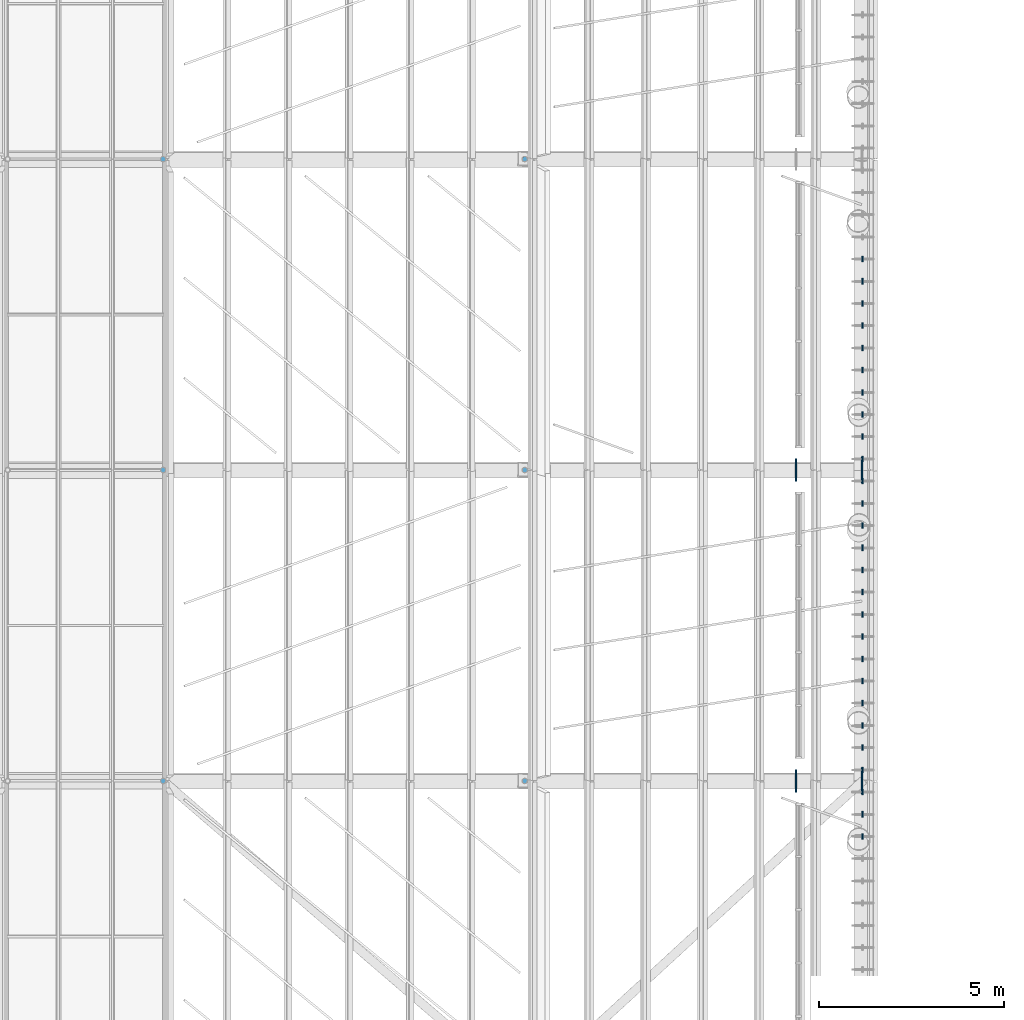
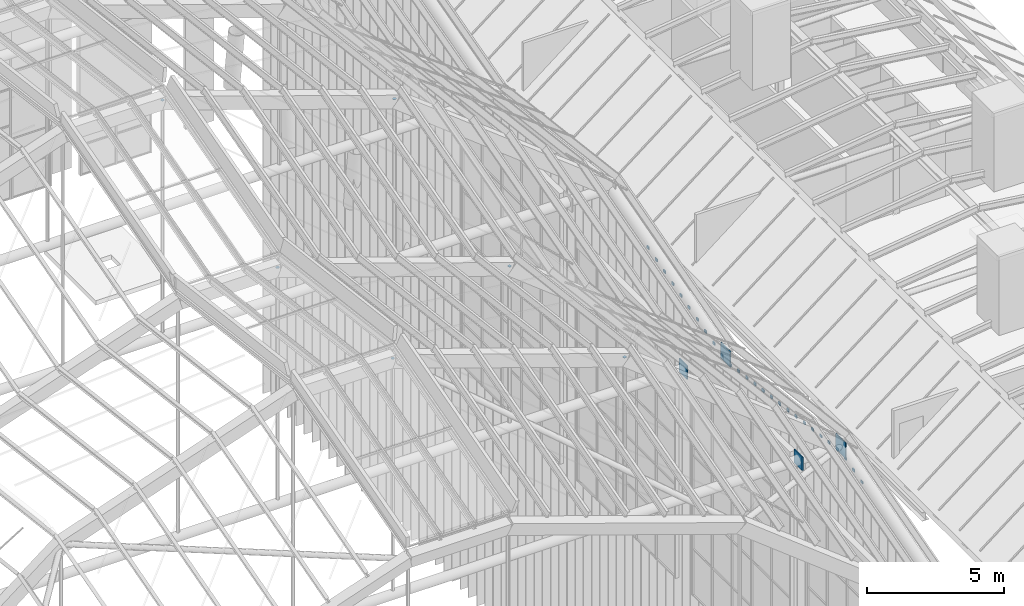
# One storey, part 95 of 126: 37 discrete accessories.
"""IFC4 building model written with IfcOpenShell, lengths in metres."""

from ifc_helpers import new_model, si_unit, direction, frame, origin, origin_2d, place, context, subcontext, project, spatial, rectangle, circle, extrude, material, layer, layer_set, material_profile, profile_set, type_object, element, save


model = new_model("IFC4")

# Units and contexts
model_context = context("Model", 3, precision=1e-05, world=origin(), true_north=direction((0.0, 1.0)))
body_context = subcontext(model_context, "Body", "Model", "MODEL_VIEW")
ifc_project = project(units=[si_unit("LENGTHUNIT", "METRE"), si_unit("AREAUNIT", "SQUARE_METRE"), si_unit("VOLUMEUNIT", "CUBIC_METRE"), si_unit("PLANEANGLEUNIT", "RADIAN"), si_unit("MASSUNIT", "GRAM", prefix="KILO")], contexts=[model_context])

# Site, building, storey
site_placement = place(None, origin())
site = spatial("IfcSite", under=ifc_project, at=site_placement, CompositionType="ELEMENT")
building_placement = place(site_placement, origin())
building = spatial("IfcBuilding", under=site, at=building_placement, Name="Sava Quay Ferry Terminal", CompositionType="ELEMENT")
storey_placement = place(building_placement, frame((0.0, 0.0, 15.0)))
storey = spatial("IfcBuildingStorey", under=building, at=storey_placement, Name="L03", CompositionType="ELEMENT", Elevation=15.0)

# Discrete accessories
ifc_material_1 = material(Name="Steel S355 galvanised", Category="steel")
ifc_layer_1 = layer(ifc_material_1, 0.0400390625)
ifc_layer_set_1 = layer_set([ifc_layer_1], Name="Steel S355 galvanised")
discrete_accessory_type_1 = type_object("IfcDiscreteAccessoryType", Name="Blade bracket flat 40x150", PredefinedType="BRACKET", material=ifc_layer_set_1)
for number, where, z_axis, x_axis, name in (
    (1, (84.0, 57.300048828125, 9.987548828125), (0.0, 0.0, 1.0), (1.0, 0.0, 0.0), "Blade bracket D-E 12"),
    (2, (84.0, 57.89990234375, 10.156005859375), (0.0, 0.0, 1.0), (1.0, 0.0, 0.0), "Blade bracket D-E 13"),
    (3, (84.0, 58.5, 10.32421875), (0.0, 0.0, 1.0), (1.0, 0.0, 0.0), "Blade bracket D-E 14"),
    (4, (84.0, 59.10009765625, 10.37109375), (0.0, 0.0, 1.0), (1.0, 0.0, 0.0), "Blade bracket D-E 15"),
    (5, (84.0, 59.699951171875, 10.296630859375), (0.0, 0.0, 1.0), (1.0, 0.0, 0.0), "Blade bracket D-E 16"),
    (6, (84.0, 60.300048828125, 10.22216796875), (0.0, 0.0, 1.0), (1.0, 0.0, 0.0), "Blade bracket D-E 17"),
    (7, (84.0, 60.89990234375, 10.147705078125), (0.0, 0.0, 1.0), (1.0, 0.0, 0.0), "Blade bracket D-E 18"),
    (8, (84.0, 61.5, 10.0732421875), (0.0, 0.0, 1.0), (1.0, 0.0, 0.0), "Blade bracket D-E 19"),
    (9, (84.0, 62.10009765625, 9.998779296875), (0.0, 0.0, 1.0), (1.0, 0.0, 0.0), "Blade bracket D-E 20"),
    (10, (84.0, 62.699951171875, 9.924072265625), (0.0, 0.0, 1.0), (1.0, 0.0, 0.0), "Blade bracket D-E 21"),
    (11, (84.0, 63.300048828125, 9.849609375), (0.0, 0.0, 1.0), (1.0, 0.0, 0.0), "Blade bracket D-E 22"),
    (12, (84.0, 63.89990234375, 9.775146484375), (0.0, 0.0, 1.0), (1.0, 0.0, 0.0), "Blade bracket D-E 23"),
    (13, (84.0, 64.5, 9.70068359375), (0.0, 0.0, 1.0), (1.0, 0.0, 0.0), "Blade bracket D-E 24"),
    (14, (84.0, 65.10009765625, 9.626220703125), (0.0, 0.0, 1.0), (1.0, 0.0, 0.0), "Blade bracket D-E 25"),
    (15, (84.0, 65.699951171875, 9.5517578125), (0.0, 0.0, 1.0), (1.0, 0.0, 0.0), "Blade bracket D-E 26"),
    (16, (84.0, 66.300048828125, 9.477294921875), (0.0, 0.0, 1.0), (1.0, 0.0, 0.0), "Blade bracket D-E 27"),
    (17, (84.0, 66.89990234375, 9.402587890625), (0.0, 0.0, 1.0), (1.0, 0.0, 0.0), "Blade bracket D-E 28"),
    (18, (84.0, 67.5, 9.44970703125), (0.0, 0.0, 1.0), (1.0, 0.0, 0.0), "Blade bracket D-E 29"),
    (19, (84.0, 68.10009765625, 9.617919921875), (0.0, 0.0, 1.0), (1.0, 0.0, 0.0), "Blade bracket D-E 30"),
    (20, (84.0, 68.699951171875, 9.786376953125), (0.0, 0.0, 1.0), (1.0, 0.0, 0.0), "Blade bracket D-E 31"),
    (21, (84.0, 69.300048828125, 9.95458984375), (0.0, 0.0, 1.0), (1.0, 0.0, 0.0), "Blade bracket D-E 32"),
    (22, (84.0, 69.89990234375, 10.123046875), (0.0, 0.0, 1.0), (1.0, 0.0, 0.0), "Blade bracket D-E 33"),
    (23, (84.0, 70.5, 10.29150390625), (0.0, 0.0, 1.0), (1.0, 0.0, 0.0), "Blade bracket D-E 34"),
    (24, (84.0, 71.10009765625, 10.459716796875), (0.0, 0.0, 1.0), (1.0, 0.0, 0.0), "Blade bracket D-E 35"),
    (25, (84.0, 71.699951171875, 10.628173828125), (0.0, 0.0, 1.0), (1.0, 0.0, 0.0), "Blade bracket D-E 36"),
    (26, (84.0, 72.300048828125, 10.79638671875), (0.0, 0.0, 1.0), (1.0, 0.0, 0.0), "Blade bracket D-E 37"),
    (27, (84.0, 72.89990234375, 10.96484375), (0.0, 0.0, 1.0), (1.0, 0.0, 0.0), "Blade bracket D-E 38"),
):
    element("IfcDiscreteAccessory", number, at=place(storey_placement, frame(where, z_axis=z_axis, x_axis=x_axis)), inside=storey, type_object=discrete_accessory_type_1, Name=name, PredefinedType="BRACKET", context=body_context, shape_type="SweptSolid", body=[
        extrude(rectangle(XDim=0.0400390625, YDim=0.14990234375, at=origin_2d()), origin(), (0.0, 0.0, 1.0), 0.1201171875),
    ])
ifc_material_2 = material(Name="Steel S355", Category="steel")
ifc_layer_2 = layer(ifc_material_2, 0.050048828125)
ifc_layer_set_2 = layer_set([ifc_layer_2], Name="Steel S355")
discrete_accessory_type_2 = type_object("IfcDiscreteAccessoryType", Name="Tie glazing collar 50", PredefinedType="ANCHORPLATE", material=ifc_layer_set_2)
for number, where, z_axis, x_axis, name in (
    (28, (82.199951171875, 58.800048828125, 10.45703125), (0.0, 0.0, 1.0), (1.0, 0.0, 0.0), "Departure hall arch tie R1 glazing collar 2"),
    (29, (82.199951171875, 67.199951171875, 9.4140625), (0.0, 0.0, 1.0), (1.0, 0.0, 0.0), "Departure hall arch tie R2 glazing collar 2"),
):
    element("IfcDiscreteAccessory", number, at=place(storey_placement, frame(where, z_axis=z_axis, x_axis=x_axis)), inside=storey, type_object=discrete_accessory_type_2, Name=name, PredefinedType="ANCHORPLATE", context=body_context, shape_type="SweptSolid", body=[
        extrude(rectangle(XDim=0.050048828125, YDim=0.60009765625, at=origin_2d()), origin(), (0.0, 0.0, 1.0), 0.60009765625),
    ])
ifc_material_3 = material(Name="Steel S355", Category="steel")
ifc_layer_3 = layer(ifc_material_3, 0.0400390625)
ifc_layer_set_3 = layer_set([ifc_layer_3], Name="Steel S355")
discrete_accessory_type_3 = type_object("IfcDiscreteAccessoryType", Name="Tie node plate 40", PredefinedType="ANCHORPLATE", material=ifc_layer_set_3)
for number, where, z_axis, x_axis, name in (
    (30, (83.985107421875, 58.800048828125, 10.4072265625), (0.0, 0.0, 1.0), (1.0, 0.0, 0.0), "Departure hall arch tie R1 node plate 2"),
    (31, (83.985107421875, 67.199951171875, 9.3642578125), (0.0, 0.0, 1.0), (1.0, 0.0, 0.0), "Departure hall arch tie R2 node plate 2"),
):
    element("IfcDiscreteAccessory", number, at=place(storey_placement, frame(where, z_axis=z_axis, x_axis=x_axis)), inside=storey, type_object=discrete_accessory_type_3, Name=name, PredefinedType="ANCHORPLATE", context=body_context, shape_type="SweptSolid", body=[
        extrude(rectangle(XDim=0.0400390625, YDim=0.699951171875, at=origin_2d()), origin(), (0.0, 0.0, 1.0), 0.699951171875),
    ])
ifc_material_4 = material(Name="Steel S355", Category="steel")
ifc_material_profile = material_profile(ifc_material_4, circle(Radius=0.06982421875, at=origin_2d()), Name="Plate 139.7 dia x 20")
ifc_profile_set = profile_set([ifc_material_profile], Name="Steel S355")
discrete_accessory_type_4 = type_object("IfcDiscreteAccessoryType", Name="Tube end plate 139.7", PredefinedType="ANCHORPLATE", material=ifc_profile_set)
for number, where, z_axis, x_axis, name in (
    (32, (65.10009765625, 58.800048828125, 21.254150390625), (0.0, 0.0, 1.0), (1.0, 0.0, 0.0), "End plate Departure hall tie hanger R1 V3"),
    (33, (74.8701171875, 58.800048828125, 17.89013671875), (0.0, 0.0, 1.0), (1.0, 0.0, 0.0), "End plate Departure hall tie hanger R1 V4"),
    (34, (65.10009765625, 67.199951171875, 20.211181640625), (0.0, 0.0, 1.0), (1.0, 0.0, 0.0), "End plate Departure hall tie hanger R2 V3"),
    (35, (74.8701171875, 67.199951171875, 16.84716796875), (0.0, 0.0, 1.0), (1.0, 0.0, 0.0), "End plate Departure hall tie hanger R2 V4"),
    (36, (65.10009765625, 75.60009765625, 22.568115234375), (0.0, 0.0, 1.0), (1.0, 0.0, 0.0), "End plate Departure hall tie hanger R3 V3"),
    (37, (74.8701171875, 75.60009765625, 19.2041015625), (0.0, 0.0, 1.0), (1.0, 0.0, 0.0), "End plate Departure hall tie hanger R3 V4"),
):
    element("IfcDiscreteAccessory", number, at=place(storey_placement, frame(where, z_axis=z_axis, x_axis=x_axis)), inside=storey, type_object=discrete_accessory_type_4, Name=name, PredefinedType="ANCHORPLATE", context=body_context, shape_type="SweptSolid", body=[
        extrude(circle(Radius=0.06982421875, at=origin_2d()), origin(), (0.0, 0.0, 1.0), 0.02001953125),
    ])

save(model, "model.ifc")
